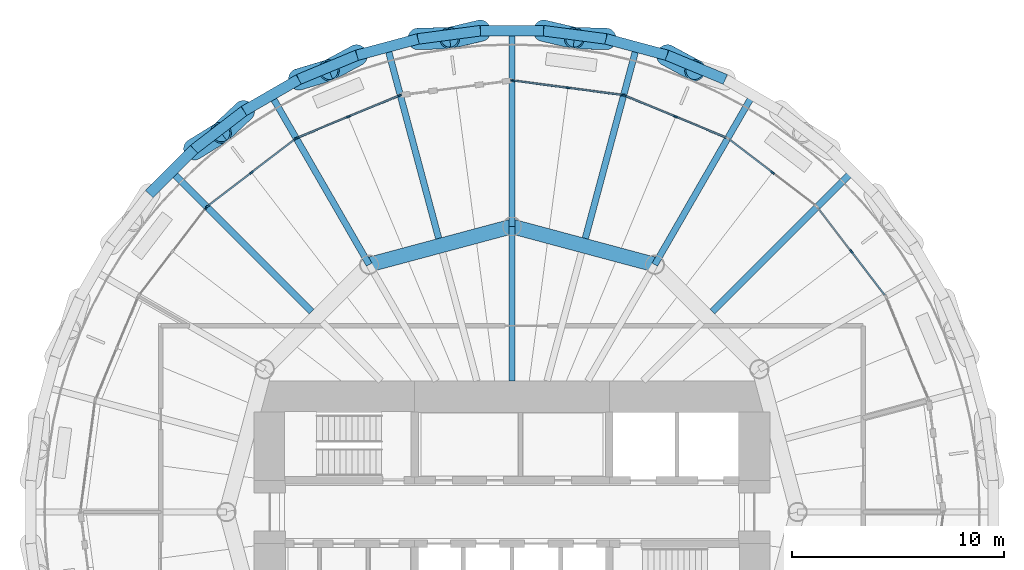
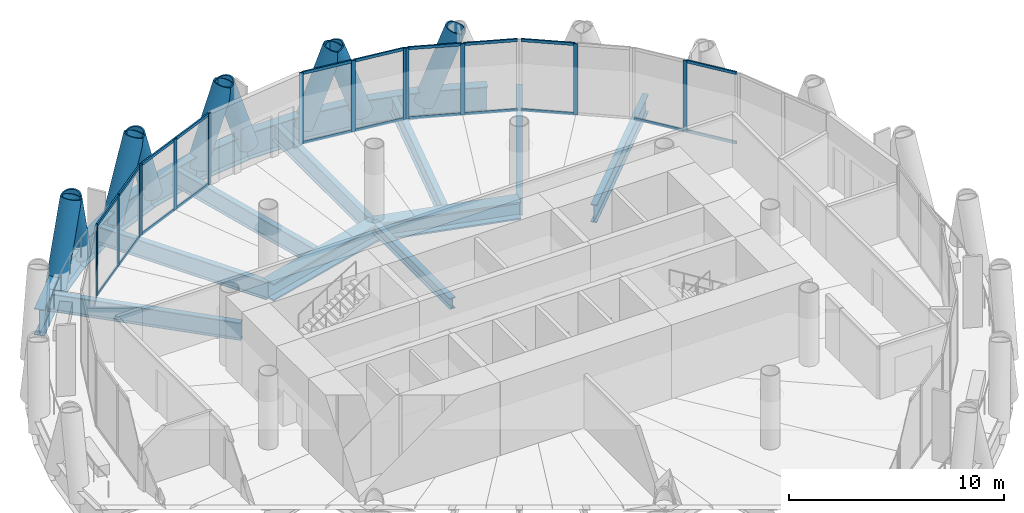
# One storey, part 6 of 14: 44 members, 20 beams, 7 elements without a shape of their own.
"""IFC4 building model written with IfcOpenShell, lengths in metres."""

from ifc_helpers import new_model, si_unit, direction, frame, origin, origin_2d, place, context, subcontext, project, spatial, rectangle, hollow_circle, i_section, extrude, material, material_profile, profile_set, type_object, element, aggregate, save


model = new_model("IFC4")

# Units and contexts
model_context = context("Model", 3, precision=1e-05, world=origin(), true_north=direction((0.0, 1.0)))
body_context = subcontext(model_context, "Body", "Model", "MODEL_VIEW")
ifc_project = project(units=[si_unit("LENGTHUNIT", "METRE"), si_unit("AREAUNIT", "SQUARE_METRE"), si_unit("VOLUMEUNIT", "CUBIC_METRE"), si_unit("PLANEANGLEUNIT", "RADIAN"), si_unit("MASSUNIT", "GRAM", prefix="KILO")], contexts=[model_context])

# Site, building, storey
site_placement = place(None, origin())
site = spatial("IfcSite", under=ifc_project, at=site_placement, CompositionType="ELEMENT")
building_placement = place(site_placement, origin())
building = spatial("IfcBuilding", under=site, at=building_placement, Name="Qaws Media Tower", CompositionType="ELEMENT")
storey_placement = place(building_placement, frame((0.0, 0.0, 215.0)))
storey = spatial("IfcBuildingStorey", under=building, at=storey_placement, Name="L49", CompositionType="ELEMENT", Elevation=215.0)

# Curtain wall, member
ifc_material_1 = material(Name="Aluminium and clear glass", Category="aluminium")
curtain_wall_type = type_object("IfcCurtainWallType", Name="Unitised curtain wall CW-C", PredefinedType="NOTDEFINED", material=ifc_material_1)
curtain_wall_1_placement = place(storey_placement, origin())
curtain_wall_1 = element("IfcCurtainWall", 1, at=curtain_wall_1_placement, inside=storey, type_object=curtain_wall_type, Name="CWC curtain wall L49-03", PredefinedType="NOTDEFINED")
ifc_material_2 = material(Name="Aluminium mullion", Category="aluminium")
ifc_material_profile_1 = material_profile(ifc_material_2, rectangle(XDim=0.080078125, YDim=0.199951171875, at=origin_2d()), Name="80x200")
ifc_profile_set_1 = profile_set([ifc_material_profile_1], Name="Aluminium mullion")
member_type_1 = type_object("IfcMemberType", Name="Curtain wall mullion 80x200", PredefinedType="MULLION", material=ifc_profile_set_1)
member_1_placement = place(storey_placement, frame((76.0458984375, 62.3125, 0.0), z_axis=(0.0, 0.0, 1.0), x_axis=(-0.793353307917, -0.608761471199, 0.0)))
member_1 = element("IfcMember", 2, at=member_1_placement, type_object=member_type_1, Name="CWC mullion 2", PredefinedType="MULLION", context=body_context, shape_type="SweptSolid", body=[
    extrude(rectangle(XDim=0.080078125, YDim=0.199951171875, at=origin_2d()), origin(), (0.0, 0.0, 1.0), 4.0400390625),
])

curtain_wall_2_placement = place(storey_placement, origin())
curtain_wall_2 = element("IfcCurtainWall", 3, at=curtain_wall_2_placement, inside=storey, type_object=curtain_wall_type, Name="CWC curtain wall L49-04", PredefinedType="NOTDEFINED")
member_2_placement = place(storey_placement, frame((72.3125, 66.0458984375, 0.0), z_axis=(0.0, 0.0, 1.0), x_axis=(-0.608761471199, -0.793353307917, 0.0)))
member_2 = element("IfcMember", 4, at=member_2_placement, type_object=member_type_1, Name="CWC mullion 2", PredefinedType="MULLION", context=body_context, shape_type="SweptSolid", body=[
    extrude(rectangle(XDim=0.080078125, YDim=0.199951171875, at=origin_2d()), origin(), (0.0, 0.0, 1.0), 4.0400390625),
])

# Curtain wall, members
curtain_wall_3_placement = place(storey_placement, origin())
curtain_wall_3 = element("IfcCurtainWall", 5, at=curtain_wall_3_placement, inside=storey, type_object=curtain_wall_type, Name="CWC curtain wall L49-05", PredefinedType="NOTDEFINED")
member_3_placement = place(storey_placement, frame((67.739990234375, 68.685791015625, 0.0), z_axis=(0.0, 0.0, 1.0), x_axis=(-0.382683525276, -0.923879494026, 0.0)))
member_3 = element("IfcMember", 6, at=member_3_placement, type_object=member_type_1, Name="CWC mullion 2", PredefinedType="MULLION", context=body_context, shape_type="SweptSolid", body=[
    extrude(rectangle(XDim=0.080078125, YDim=0.199951171875, at=origin_2d()), origin(), (0.0, 0.0, 1.0), 4.0400390625),
])
member_4_placement = place(storey_placement, frame((65.31689453125, 69.689697265625, 0.0), z_axis=(0.0, 0.0, 1.0), x_axis=(-0.382683525276, -0.923879494026, 0.0)))
member_4 = element("IfcMember", 7, at=member_4_placement, type_object=member_type_1, Name="CWC mullion 3", PredefinedType="MULLION", context=body_context, shape_type="SweptSolid", body=[
    extrude(rectangle(XDim=0.080078125, YDim=0.199951171875, at=origin_2d()), origin(), (0.0, 0.0, 1.0), 4.0400390625),
])

curtain_wall_4_placement = place(storey_placement, origin())
curtain_wall_4 = element("IfcCurtainWall", 8, at=curtain_wall_4_placement, inside=storey, type_object=curtain_wall_type, Name="CWC curtain wall L49-06", PredefinedType="NOTDEFINED")
member_5_placement = place(storey_placement, frame((65.240234375, 69.710205078125, 0.0), z_axis=(0.0, 0.0, 1.0), x_axis=(-0.13052615403, -0.991444866402, 0.0)))
member_5 = element("IfcMember", 9, at=member_5_placement, type_object=member_type_1, Name="CWC mullion 1", PredefinedType="MULLION", context=body_context, shape_type="SweptSolid", body=[
    extrude(rectangle(XDim=0.080078125, YDim=0.199951171875, at=origin_2d()), origin(), (0.0, 0.0, 1.0), 4.0400390625),
])
member_6_placement = place(storey_placement, frame((62.639892578125, 70.052490234375, 0.0), z_axis=(0.0, 0.0, 1.0), x_axis=(-0.13052615403, -0.991444866402, 0.0)))
member_6 = element("IfcMember", 10, at=member_6_placement, type_object=member_type_1, Name="CWC mullion 2", PredefinedType="MULLION", context=body_context, shape_type="SweptSolid", body=[
    extrude(rectangle(XDim=0.080078125, YDim=0.199951171875, at=origin_2d()), origin(), (0.0, 0.0, 1.0), 4.0400390625),
])
member_7_placement = place(storey_placement, frame((60.03955078125, 70.394775390625, 0.0), z_axis=(0.0, 0.0, 1.0), x_axis=(-0.13052615403, -0.991444866402, 0.0)))
member_7 = element("IfcMember", 11, at=member_7_placement, type_object=member_type_1, Name="CWC mullion 3", PredefinedType="MULLION", context=body_context, shape_type="SweptSolid", body=[
    extrude(rectangle(XDim=0.080078125, YDim=0.199951171875, at=origin_2d()), origin(), (0.0, 0.0, 1.0), 4.0400390625),
])

curtain_wall_5_placement = place(storey_placement, origin())
curtain_wall_5 = element("IfcCurtainWall", 12, at=curtain_wall_5_placement, inside=storey, type_object=curtain_wall_type, Name="CWC curtain wall L49-08", PredefinedType="NOTDEFINED")
member_8_placement = place(storey_placement, frame((54.68310546875, 69.689697265625, 0.0), z_axis=(0.0, 0.0, 1.0), x_axis=(0.382683525276, -0.923879494026, 0.0)))
member_8 = element("IfcMember", 13, at=member_8_placement, type_object=member_type_1, Name="CWC mullion 1", PredefinedType="MULLION", context=body_context, shape_type="SweptSolid", body=[
    extrude(rectangle(XDim=0.080078125, YDim=0.199951171875, at=origin_2d()), origin(), (0.0, 0.0, 1.0), 4.0400390625),
])
member_9_placement = place(storey_placement, frame((52.260009765625, 68.685791015625, 0.0), z_axis=(0.0, 0.0, 1.0), x_axis=(0.382683525276, -0.923879494026, 0.0)))
member_9 = element("IfcMember", 14, at=member_9_placement, type_object=member_type_1, Name="CWC mullion 2", PredefinedType="MULLION", context=body_context, shape_type="SweptSolid", body=[
    extrude(rectangle(XDim=0.080078125, YDim=0.199951171875, at=origin_2d()), origin(), (0.0, 0.0, 1.0), 4.0400390625),
])
member_10_placement = place(storey_placement, frame((49.8369140625, 67.68212890625, 0.0), z_axis=(0.0, 0.0, 1.0), x_axis=(0.382683525276, -0.923879494026, 0.0)))
member_10 = element("IfcMember", 15, at=member_10_placement, type_object=member_type_1, Name="CWC mullion 3", PredefinedType="MULLION", context=body_context, shape_type="SweptSolid", body=[
    extrude(rectangle(XDim=0.080078125, YDim=0.199951171875, at=origin_2d()), origin(), (0.0, 0.0, 1.0), 4.0400390625),
])

curtain_wall_6_placement = place(storey_placement, origin())
curtain_wall_6 = element("IfcCurtainWall", 16, at=curtain_wall_6_placement, inside=storey, type_object=curtain_wall_type, Name="CWC curtain wall L49-09", PredefinedType="NOTDEFINED")
member_11_placement = place(storey_placement, frame((49.768310546875, 67.642578125, 0.0), z_axis=(0.0, 0.0, 1.0), x_axis=(0.608761471199, -0.793353307917, 0.0)))
member_11 = element("IfcMember", 17, at=member_11_placement, type_object=member_type_1, Name="CWC mullion 1", PredefinedType="MULLION", context=body_context, shape_type="SweptSolid", body=[
    extrude(rectangle(XDim=0.080078125, YDim=0.199951171875, at=origin_2d()), origin(), (0.0, 0.0, 1.0), 4.0400390625),
])
member_12_placement = place(storey_placement, frame((47.6875, 66.0458984375, 0.0), z_axis=(0.0, 0.0, 1.0), x_axis=(0.608761471199, -0.793353307917, 0.0)))
member_12 = element("IfcMember", 18, at=member_12_placement, type_object=member_type_1, Name="CWC mullion 2", PredefinedType="MULLION", context=body_context, shape_type="SweptSolid", body=[
    extrude(rectangle(XDim=0.080078125, YDim=0.199951171875, at=origin_2d()), origin(), (0.0, 0.0, 1.0), 4.0400390625),
])
member_13_placement = place(storey_placement, frame((45.606689453125, 64.44921875, 0.0), z_axis=(0.0, 0.0, 1.0), x_axis=(0.608761471199, -0.793353307917, 0.0)))
member_13 = element("IfcMember", 19, at=member_13_placement, type_object=member_type_1, Name="CWC mullion 3", PredefinedType="MULLION", context=body_context, shape_type="SweptSolid", body=[
    extrude(rectangle(XDim=0.080078125, YDim=0.199951171875, at=origin_2d()), origin(), (0.0, 0.0, 1.0), 4.0400390625),
])

# Curtain wall, member
curtain_wall_7_placement = place(storey_placement, origin())
curtain_wall_7 = element("IfcCurtainWall", 20, at=curtain_wall_7_placement, inside=storey, type_object=curtain_wall_type, Name="CWC curtain wall L49-10", PredefinedType="NOTDEFINED")
member_14_placement = place(storey_placement, frame((45.55078125, 64.393310546875, 0.0), z_axis=(0.0, 0.0, 1.0), x_axis=(0.793353307917, -0.608761471199, 0.0)))
member_14 = element("IfcMember", 21, at=member_14_placement, type_object=member_type_1, Name="CWC mullion 1", PredefinedType="MULLION", context=body_context, shape_type="SweptSolid", body=[
    extrude(rectangle(XDim=0.080078125, YDim=0.199951171875, at=origin_2d()), origin(), (0.0, 0.0, 1.0), 4.0400390625),
])
aggregate(curtain_wall_7, [member_14])

# Member
ifc_material_3 = material(Name="Aluminium transom", Category="aluminium")
ifc_material_profile_2 = material_profile(ifc_material_3, rectangle(XDim=0.080078125, YDim=0.159912109375, at=origin_2d()), Name="80x160")
ifc_profile_set_2 = profile_set([ifc_material_profile_2], Name="Aluminium transom")
member_type_2 = type_object("IfcMemberType", Name="Curtain wall transom 80x160", PredefinedType="USERDEFINED", material=ifc_profile_set_2)
member_15_placement = place(storey_placement, frame((77.6181640625, 60.263427734375, 0.0400390625), z_axis=(-0.608735871547, 0.793372950567, 0.0), x_axis=(-0.793372950567, -0.608735871547, 0.0)))
member_15 = element("IfcMember", 22, at=member_15_placement, type_object=member_type_2, Name="CWC transom 1.1", ObjectType="TRANSOM", PredefinedType="USERDEFINED", context=body_context, shape_type="SweptSolid", body=[
    extrude(rectangle(XDim=0.080078125, YDim=0.159912109375, at=origin_2d()), origin(), (0.0, 0.0, 1.0), 2.542724609375),
])

member_16_placement = place(storey_placement, frame((77.6181640625, 60.263427734375, 4.0), z_axis=(-0.608735871547, 0.793372950567, 0.0), x_axis=(-0.793372950567, -0.608735871547, 0.0)))
member_16 = element("IfcMember", 23, at=member_16_placement, type_object=member_type_2, Name="CWC transom 1.2", ObjectType="TRANSOM", PredefinedType="USERDEFINED", context=body_context, shape_type="SweptSolid", body=[
    extrude(rectangle(XDim=0.080078125, YDim=0.159912109375, at=origin_2d()), origin(), (0.0, 0.0, 1.0), 2.542724609375),
])

member_17_placement = place(storey_placement, frame((76.021484375, 62.34423828125, 0.0400390625), z_axis=(-0.608735871547, 0.793372950567, 0.0), x_axis=(-0.793372950567, -0.608735871547, 0.0)))
member_17 = element("IfcMember", 24, at=member_17_placement, type_object=member_type_2, Name="CWC transom 2.1", ObjectType="TRANSOM", PredefinedType="USERDEFINED", context=body_context, shape_type="SweptSolid", body=[
    extrude(rectangle(XDim=0.080078125, YDim=0.159912109375, at=origin_2d()), origin(), (0.0, 0.0, 1.0), 2.542724609375),
])

aggregate(curtain_wall_1, [member_1, member_15, member_16, member_17])

member_18_placement = place(storey_placement, frame((72.28076171875, 66.0703125, 0.0400390625), z_axis=(-0.793372950567, 0.608735871547, 0.0), x_axis=(-0.608735871547, -0.793372950567, 0.0)))
member_18 = element("IfcMember", 25, at=member_18_placement, type_object=member_type_2, Name="CWC transom 2.1", ObjectType="TRANSOM", PredefinedType="USERDEFINED", context=body_context, shape_type="SweptSolid", body=[
    extrude(rectangle(XDim=0.080078125, YDim=0.159912109375, at=origin_2d()), origin(), (0.0, 0.0, 1.0), 2.542724609375),
])

member_19_placement = place(storey_placement, frame((72.28076171875, 66.0703125, 4.0), z_axis=(-0.793372950567, 0.608735871547, 0.0), x_axis=(-0.608735871547, -0.793372950567, 0.0)))
member_19 = element("IfcMember", 26, at=member_19_placement, type_object=member_type_2, Name="CWC transom 2.2", ObjectType="TRANSOM", PredefinedType="USERDEFINED", context=body_context, shape_type="SweptSolid", body=[
    extrude(rectangle(XDim=0.080078125, YDim=0.159912109375, at=origin_2d()), origin(), (0.0, 0.0, 1.0), 2.542724609375),
])

aggregate(curtain_wall_2, [member_2, member_18, member_19])

member_20_placement = place(storey_placement, frame((70.1259765625, 67.697509765625, 0.0400390625), z_axis=(-0.923864693602, 0.382719254697, 0.0), x_axis=(-0.382719254697, -0.923864693602, 0.0)))
member_20 = element("IfcMember", 27, at=member_20_placement, type_object=member_type_2, Name="CWC transom 1.1", ObjectType="TRANSOM", PredefinedType="USERDEFINED", context=body_context, shape_type="SweptSolid", body=[
    extrude(rectangle(XDim=0.080078125, YDim=0.159912109375, at=origin_2d()), origin(), (0.0, 0.0, 1.0), 2.542724609375),
])

member_21_placement = place(storey_placement, frame((70.1259765625, 67.697509765625, 4.0), z_axis=(-0.923864693602, 0.382719254697, 0.0), x_axis=(-0.382719254697, -0.923864693602, 0.0)))
member_21 = element("IfcMember", 28, at=member_21_placement, type_object=member_type_2, Name="CWC transom 1.2", ObjectType="TRANSOM", PredefinedType="USERDEFINED", context=body_context, shape_type="SweptSolid", body=[
    extrude(rectangle(XDim=0.080078125, YDim=0.159912109375, at=origin_2d()), origin(), (0.0, 0.0, 1.0), 2.542724609375),
])

member_22_placement = place(storey_placement, frame((67.702880859375, 68.701171875, 0.0400390625), z_axis=(-0.923864693602, 0.382719254697, 0.0), x_axis=(-0.382719254697, -0.923864693602, 0.0)))
member_22 = element("IfcMember", 29, at=member_22_placement, type_object=member_type_2, Name="CWC transom 2.1", ObjectType="TRANSOM", PredefinedType="USERDEFINED", context=body_context, shape_type="SweptSolid", body=[
    extrude(rectangle(XDim=0.080078125, YDim=0.159912109375, at=origin_2d()), origin(), (0.0, 0.0, 1.0), 2.542724609375),
])

member_23_placement = place(storey_placement, frame((67.702880859375, 68.701171875, 4.0), z_axis=(-0.923864693602, 0.382719254697, 0.0), x_axis=(-0.382719254697, -0.923864693602, 0.0)))
member_23 = element("IfcMember", 30, at=member_23_placement, type_object=member_type_2, Name="CWC transom 2.2", ObjectType="TRANSOM", PredefinedType="USERDEFINED", context=body_context, shape_type="SweptSolid", body=[
    extrude(rectangle(XDim=0.080078125, YDim=0.159912109375, at=origin_2d()), origin(), (0.0, 0.0, 1.0), 2.542724609375),
])

aggregate(curtain_wall_3, [member_3, member_4, member_20, member_21, member_22, member_23])

member_24_placement = place(storey_placement, frame((65.20068359375, 69.71533203125, 0.0400390625), z_axis=(-0.991450373449, 0.130484317017, 0.0), x_axis=(-0.130484317017, -0.991450373449, 0.0)))
member_24 = element("IfcMember", 31, at=member_24_placement, type_object=member_type_2, Name="CWC transom 1.1", ObjectType="TRANSOM", PredefinedType="USERDEFINED", context=body_context, shape_type="SweptSolid", body=[
    extrude(rectangle(XDim=0.080078125, YDim=0.159912109375, at=origin_2d()), origin(), (0.0, 0.0, 1.0), 2.542724609375),
])

member_25_placement = place(storey_placement, frame((65.20068359375, 69.71533203125, 4.0), z_axis=(-0.991450373449, 0.130484317017, 0.0), x_axis=(-0.130484317017, -0.991450373449, 0.0)))
member_25 = element("IfcMember", 32, at=member_25_placement, type_object=member_type_2, Name="CWC transom 1.2", ObjectType="TRANSOM", PredefinedType="USERDEFINED", context=body_context, shape_type="SweptSolid", body=[
    extrude(rectangle(XDim=0.080078125, YDim=0.159912109375, at=origin_2d()), origin(), (0.0, 0.0, 1.0), 2.542724609375),
])

member_26_placement = place(storey_placement, frame((62.600341796875, 70.0576171875, 0.0400390625), z_axis=(-0.991437947781, 0.130578695427, 0.0), x_axis=(-0.130578695427, -0.991437947781, 0.0)))
member_26 = element("IfcMember", 33, at=member_26_placement, type_object=member_type_2, Name="CWC transom 2.1", ObjectType="TRANSOM", PredefinedType="USERDEFINED", context=body_context, shape_type="SweptSolid", body=[
    extrude(rectangle(XDim=0.080078125, YDim=0.159912109375, at=origin_2d()), origin(), (0.0, 0.0, 1.0), 2.542724609375),
])

member_27_placement = place(storey_placement, frame((62.600341796875, 70.0576171875, 4.0), z_axis=(-0.991437947781, 0.130578695427, 0.0), x_axis=(-0.130578695427, -0.991437947781, 0.0)))
member_27 = element("IfcMember", 34, at=member_27_placement, type_object=member_type_2, Name="CWC transom 2.2", ObjectType="TRANSOM", PredefinedType="USERDEFINED", context=body_context, shape_type="SweptSolid", body=[
    extrude(rectangle(XDim=0.080078125, YDim=0.159912109375, at=origin_2d()), origin(), (0.0, 0.0, 1.0), 2.542724609375),
])

aggregate(curtain_wall_4, [member_5, member_6, member_7, member_24, member_25, member_26, member_27])

member_28_placement = place(storey_placement, frame((54.646240234375, 69.67431640625, 0.0400390625), z_axis=(-0.923864693602, -0.382719254697, 0.0), x_axis=(0.382719254697, -0.923864693602, 0.0)))
member_28 = element("IfcMember", 35, at=member_28_placement, type_object=member_type_2, Name="CWC transom 1.1", ObjectType="TRANSOM", PredefinedType="USERDEFINED", context=body_context, shape_type="SweptSolid", body=[
    extrude(rectangle(XDim=0.080078125, YDim=0.159912109375, at=origin_2d()), origin(), (0.0, 0.0, 1.0), 2.542724609375),
])

member_29_placement = place(storey_placement, frame((54.646240234375, 69.67431640625, 4.0), z_axis=(-0.923864693602, -0.382719254697, 0.0), x_axis=(0.382719254697, -0.923864693602, 0.0)))
member_29 = element("IfcMember", 36, at=member_29_placement, type_object=member_type_2, Name="CWC transom 1.2", ObjectType="TRANSOM", PredefinedType="USERDEFINED", context=body_context, shape_type="SweptSolid", body=[
    extrude(rectangle(XDim=0.080078125, YDim=0.159912109375, at=origin_2d()), origin(), (0.0, 0.0, 1.0), 2.542724609375),
])

member_30_placement = place(storey_placement, frame((52.22314453125, 68.670654296875, 0.0400390625), z_axis=(-0.923864693602, -0.382719254697, 0.0), x_axis=(0.382719254697, -0.923864693602, 0.0)))
member_30 = element("IfcMember", 37, at=member_30_placement, type_object=member_type_2, Name="CWC transom 2.1", ObjectType="TRANSOM", PredefinedType="USERDEFINED", context=body_context, shape_type="SweptSolid", body=[
    extrude(rectangle(XDim=0.080078125, YDim=0.159912109375, at=origin_2d()), origin(), (0.0, 0.0, 1.0), 2.542724609375),
])

member_31_placement = place(storey_placement, frame((52.22314453125, 68.670654296875, 4.0), z_axis=(-0.923864693602, -0.382719254697, 0.0), x_axis=(0.382719254697, -0.923864693602, 0.0)))
member_31 = element("IfcMember", 38, at=member_31_placement, type_object=member_type_2, Name="CWC transom 2.2", ObjectType="TRANSOM", PredefinedType="USERDEFINED", context=body_context, shape_type="SweptSolid", body=[
    extrude(rectangle(XDim=0.080078125, YDim=0.159912109375, at=origin_2d()), origin(), (0.0, 0.0, 1.0), 2.542724609375),
])

aggregate(curtain_wall_5, [member_8, member_9, member_10, member_28, member_29, member_30, member_31])

member_32_placement = place(storey_placement, frame((49.736572265625, 67.6181640625, 0.0400390625), z_axis=(-0.793372950567, -0.608735871547, 0.0), x_axis=(0.608735871547, -0.793372950567, 0.0)))
member_32 = element("IfcMember", 39, at=member_32_placement, type_object=member_type_2, Name="CWC transom 1.1", ObjectType="TRANSOM", PredefinedType="USERDEFINED", context=body_context, shape_type="SweptSolid", body=[
    extrude(rectangle(XDim=0.080078125, YDim=0.159912109375, at=origin_2d()), origin(), (0.0, 0.0, 1.0), 2.542724609375),
])

member_33_placement = place(storey_placement, frame((49.736572265625, 67.6181640625, 4.0), z_axis=(-0.793372950567, -0.608735871547, 0.0), x_axis=(0.608735871547, -0.793372950567, 0.0)))
member_33 = element("IfcMember", 40, at=member_33_placement, type_object=member_type_2, Name="CWC transom 1.2", ObjectType="TRANSOM", PredefinedType="USERDEFINED", context=body_context, shape_type="SweptSolid", body=[
    extrude(rectangle(XDim=0.080078125, YDim=0.159912109375, at=origin_2d()), origin(), (0.0, 0.0, 1.0), 2.542724609375),
])

member_34_placement = place(storey_placement, frame((47.65576171875, 66.021484375, 0.0400390625), z_axis=(-0.793372950567, -0.608735871547, 0.0), x_axis=(0.608735871547, -0.793372950567, 0.0)))
member_34 = element("IfcMember", 41, at=member_34_placement, type_object=member_type_2, Name="CWC transom 2.1", ObjectType="TRANSOM", PredefinedType="USERDEFINED", context=body_context, shape_type="SweptSolid", body=[
    extrude(rectangle(XDim=0.080078125, YDim=0.159912109375, at=origin_2d()), origin(), (0.0, 0.0, 1.0), 2.542724609375),
])

member_35_placement = place(storey_placement, frame((47.65576171875, 66.021484375, 4.0), z_axis=(-0.793372950567, -0.608735871547, 0.0), x_axis=(0.608735871547, -0.793372950567, 0.0)))
member_35 = element("IfcMember", 42, at=member_35_placement, type_object=member_type_2, Name="CWC transom 2.2", ObjectType="TRANSOM", PredefinedType="USERDEFINED", context=body_context, shape_type="SweptSolid", body=[
    extrude(rectangle(XDim=0.080078125, YDim=0.159912109375, at=origin_2d()), origin(), (0.0, 0.0, 1.0), 2.542724609375),
])

aggregate(curtain_wall_6, [member_11, member_12, member_13, member_32, member_33, member_34, member_35])

# Members
ifc_material_4 = material(Name="Steel S460", Category="steel")
ifc_material_profile_3 = material_profile(ifc_material_4, hollow_circle(Radius=0.508056640625, WallThickness=0.070068359375, at=origin_2d()), Name="CHS 1016x70")
ifc_profile_set_3 = profile_set([ifc_material_profile_3], Name="Steel S460")
member_type_3 = type_object("IfcMemberType", Name="Diagrid member CHS 1016x70", PredefinedType="USERDEFINED", material=ifc_profile_set_3)
member_36_placement = place(storey_placement, frame((64.447998046875, 72.36181640625, -0.909912109375), z_axis=(-0.335934332226, 0.010073650119, 0.941831538018), x_axis=(-0.02997348887, -0.999550694045, 0.0)))
element("IfcMember", 43, at=member_36_placement, inside=storey, type_object=member_type_3, Name="DG3 diagrid L49 A06", ObjectType="DIAGRID", PredefinedType="USERDEFINED", context=body_context, shape_type="SweptSolid", body=[
    extrude(hollow_circle(Radius=0.508056640625, WallThickness=0.070068359375, at=origin_2d()), origin(), (0.0, 0.0, 1.0), 4.459228515625),
])
for number, where, z_axis, x_axis, name in (
    (44, (67.328857421875, 71.590087890625, -0.909912109375), (0.295964412888, -0.159314917038, 0.941819421924), (0.473983261945, 0.880533853634, 0.0), "DG3 diagrid L49 B06"),
    (45, (58.5087890625, 72.751220703125, -0.909912109375), (-0.327116361591, -0.077248734093, 0.941821383841), (0.229829111483, -0.973231000079, 0.0), "DG3 diagrid L49 A07"),
    (46, (61.4912109375, 72.751220703125, -0.909912109375), (0.327116361591, -0.077248734093, 0.941821383841), (0.229829111483, 0.973231000079, 0.0), "DG3 diagrid L49 B07"),
    (47, (52.671142578125, 71.590087890625, -0.909912109375), (-0.295964412888, -0.159314917038, 0.941819421924), (0.473983261945, -0.880533853634, 0.0), "DG3 diagrid L49 A08"),
):
    element("IfcMember", number, at=place(storey_placement, frame(where, z_axis=z_axis, x_axis=x_axis)), inside=storey, type_object=member_type_3, Name=name, ObjectType="DIAGRID", PredefinedType="USERDEFINED", context=body_context, shape_type="SweptSolid", body=[
        extrude(hollow_circle(Radius=0.508056640625, WallThickness=0.070068359375, at=origin_2d()), origin(), (0.0, 0.0, 1.0), 4.45947265625),
    ])
member_37_placement = place(storey_placement, frame((55.552001953125, 72.36181640625, -0.909912109375), z_axis=(0.335934332226, 0.010073650119, 0.941831538018), x_axis=(-0.02997348887, 0.999550694045, 0.0)))
element("IfcMember", 48, at=member_37_placement, inside=storey, type_object=member_type_3, Name="DG3 diagrid L49 B08", ObjectType="DIAGRID", PredefinedType="USERDEFINED", context=body_context, shape_type="SweptSolid", body=[
    extrude(hollow_circle(Radius=0.508056640625, WallThickness=0.070068359375, at=origin_2d()), origin(), (0.0, 0.0, 1.0), 4.459228515625),
])
for number, where, z_axis, x_axis, name in (
    (49, (47.3330078125, 68.95751953125, -0.909912109375), (-0.244664958727, -0.230485450042, 0.941815011183), (0.685699937785, -0.727884328257, 0.0), "DG3 diagrid L49 A09"),
    (50, (49.915771484375, 70.44873046875, -0.909912109375), (0.321916275076, 0.096629630188, 0.941824095259), (-0.287497320601, 0.957781442004, 0.0), "DG3 diagrid L49 B09"),
    (51, (44.966796875, 67.141845703125, -0.909912109375), (0.285945501769, 0.176669755736, 0.941818967438), (-0.525614245055, 0.850723025077, 0.0), "DG3 diagrid L49 B10"),
):
    element("IfcMember", number, at=place(storey_placement, frame(where, z_axis=z_axis, x_axis=x_axis)), inside=storey, type_object=member_type_3, Name=name, ObjectType="DIAGRID", PredefinedType="USERDEFINED", context=body_context, shape_type="SweptSolid", body=[
        extrude(hollow_circle(Radius=0.508056640625, WallThickness=0.070068359375, at=origin_2d()), origin(), (0.0, 0.0, 1.0), 4.45947265625),
    ])

# Beams
ifc_material_5 = material(Name="Steel S460", Category="steel")
ifc_material_profile_4 = material_profile(ifc_material_5, i_section(OverallWidth=0.5, OverallDepth=1.5, WebThickness=0.02001953125, FlangeThickness=0.0400390625, at=origin_2d()), Name="PG 1500x500")
ifc_profile_set_4 = profile_set([ifc_material_profile_4], Name="Steel S460")
beam_type_1 = type_object("IfcBeamType", Name="Edge ring beam PG 1500x500", PredefinedType="BEAM", material=ifc_profile_set_4)
for number, where, z_axis, x_axis, name in (
    (52, (70.084228515625, 70.44873046875, -0.909912109375), (-0.923874156886, 0.382696410016, 0.0), (-0.382696410016, -0.923874156886, 0.0), "RB4 edge ring beam L49-09"),
    (53, (67.328857421875, 71.590087890625, -0.909912109375), (-0.965942205889, 0.258757907866, 0.0), (-0.258757907866, -0.965942205889, 0.0), "RB4 edge ring beam L49-10"),
    (54, (64.447998046875, 72.36181640625, -0.909912109375), (-0.991438963829, 0.130570980704, 0.0), (-0.130570980704, -0.991438963829, 0.0), "RB4 edge ring beam L49-11"),
    (55, (61.4912109375, 72.751220703125, -0.909912109375), (-1.0, 0.0, 0.0), (0.0, -1.0, 0.0), "RB4 edge ring beam L49-12"),
    (56, (58.5087890625, 72.751220703125, -0.909912109375), (-0.991438963829, -0.130570980704, 0.0), (0.130570980704, -0.991438963829, 0.0), "RB4 edge ring beam L49-13"),
    (57, (55.552001953125, 72.36181640625, -0.909912109375), (-0.965942205889, -0.258757907866, 0.0), (0.258757907866, -0.965942205889, 0.0), "RB4 edge ring beam L49-14"),
    (58, (52.671142578125, 71.590087890625, -0.909912109375), (-0.923874156886, -0.382696410016, 0.0), (0.382696410016, -0.923874156886, 0.0), "RB4 edge ring beam L49-15"),
    (59, (49.915771484375, 70.44873046875, -0.909912109375), (-0.866017906508, -0.500012985438, 0.0), (0.500012985438, -0.866017906508, 0.0), "RB4 edge ring beam L49-16"),
):
    element("IfcBeam", number, at=place(storey_placement, frame(where, z_axis=z_axis, x_axis=x_axis)), inside=storey, type_object=beam_type_1, Name=name, PredefinedType="BEAM", context=body_context, shape_type="SweptSolid", body=[
        extrude(i_section(OverallWidth=0.5, OverallDepth=1.5, WebThickness=0.02001953125, FlangeThickness=0.0400390625, at=origin_2d()), origin(), (0.0, 0.0, 1.0), 2.982421875),
    ])
beam_1_placement = place(storey_placement, frame((47.3330078125, 68.95751953125, -0.909912109375), z_axis=(-0.793350698159, -0.608764872287, 0.0), x_axis=(0.608764872287, -0.793350698159, 0.0)))
element("IfcBeam", 60, at=beam_1_placement, inside=storey, type_object=beam_type_1, Name="RB4 edge ring beam L49-17", PredefinedType="BEAM", context=body_context, shape_type="SweptSolid", body=[
    extrude(i_section(OverallWidth=0.5, OverallDepth=1.5, WebThickness=0.02001953125, FlangeThickness=0.0400390625, at=origin_2d()), origin(), (0.0, 0.0, 1.0), 2.982666015625),
])
beam_2_placement = place(storey_placement, frame((44.966796875, 67.141845703125, -0.909912109375), z_axis=(-0.707106781187, -0.707106781187, 0.0), x_axis=(0.707106781187, -0.707106781187, 0.0)))
element("IfcBeam", 61, at=beam_2_placement, inside=storey, type_object=beam_type_1, Name="RB4 edge ring beam L49-18", PredefinedType="BEAM", context=body_context, shape_type="SweptSolid", body=[
    extrude(i_section(OverallWidth=0.5, OverallDepth=1.5, WebThickness=0.02001953125, FlangeThickness=0.0400390625, at=origin_2d()), origin(), (0.0, 0.0, 1.0), 2.982177734375),
])
ifc_material_6 = material(Name="Steel S460", Category="steel")
ifc_material_profile_5 = material_profile(ifc_material_6, i_section(OverallWidth=0.699951171875, OverallDepth=1.0, WebThickness=0.034912109375, FlangeThickness=0.090087890625, at=origin_2d()), Name="PG 1000x700")
ifc_profile_set_5 = profile_set([ifc_material_profile_5], Name="Steel S460")
beam_type_2 = type_object("IfcBeamType", Name="Inner ring girder PG 1000x700", PredefinedType="BEAM", material=ifc_profile_set_5)
for number, where, z_axis, x_axis, name in (
    (62, (66.75, 61.69140625, -0.659912109375), (-0.965928090778, 0.258810593767, 0.0), (-0.258810593767, -0.965928090778, 0.0), "B3 inner ring beam L49 I03-I04"),
    (63, (60.0, 63.5, -0.659912109375), (-0.965928090778, -0.258810593767, 0.0), (0.258810593767, -0.965928090778, 0.0), "B3 inner ring beam L49 I04-I05"),
):
    element("IfcBeam", number, at=place(storey_placement, frame(where, z_axis=z_axis, x_axis=x_axis)), inside=storey, type_object=beam_type_2, Name=name, PredefinedType="BEAM", context=body_context, shape_type="SweptSolid", body=[
        extrude(i_section(OverallWidth=0.699951171875, OverallDepth=1.0, WebThickness=0.034912109375, FlangeThickness=0.090087890625, at=origin_2d()), origin(), (0.0, 0.0, 1.0), 6.988037109375),
    ])
ifc_material_7 = material(Name="Steel S355", Category="steel")
ifc_material_profile_6 = material_profile(ifc_material_7, i_section(OverallWidth=0.302001953125, OverallDepth=1.008056640625, WebThickness=0.02099609375, FlangeThickness=0.0400390625, FilletRadius=0.030029296875, at=origin_2d()), Name="HE 1000 M")
ifc_profile_set_6 = profile_set([ifc_material_profile_6], Name="Steel S355")
beam_type_3 = type_object("IfcBeamType", Name="Radial beam HE 1000 M", PredefinedType="BEAM", material=ifc_profile_set_6)
beam_3_placement = place(storey_placement, frame((69.46826171875, 59.46826171875, -0.6640625), z_axis=(0.707106781187, 0.707106781187, 0.0), x_axis=(-0.707106781187, 0.707106781187, 0.0)))
element("IfcBeam", 64, at=beam_3_placement, inside=storey, type_object=beam_type_3, Name="B1 radial beam L49 04", PredefinedType="BEAM", context=body_context, shape_type="SweptSolid", body=[
    extrude(i_section(OverallWidth=0.302001953125, OverallDepth=1.008056640625, WebThickness=0.02099609375, FlangeThickness=0.0400390625, FilletRadius=0.030029296875, at=origin_2d()), origin(), (0.0, 0.0, 1.0), 9.36083984375),
])
beam_4_placement = place(storey_placement, frame((66.75, 61.69140625, -0.6640625), z_axis=(0.499993538935, 0.86602913405, 0.0), x_axis=(-0.86602913405, 0.499993538935, 0.0)))
element("IfcBeam", 65, at=beam_4_placement, inside=storey, type_object=beam_type_3, Name="B1 radial beam L49 05", PredefinedType="BEAM", context=body_context, shape_type="SweptSolid", body=[
    extrude(i_section(OverallWidth=0.302001953125, OverallDepth=1.008056640625, WebThickness=0.02099609375, FlangeThickness=0.0400390625, FilletRadius=0.030029296875, at=origin_2d()), origin(), (0.0, 0.0, 1.0), 9.2509765625),
])
beam_5_placement = place(storey_placement, frame((63.465576171875, 62.933837890625, -0.6640625), z_axis=(0.258818211939, 0.965926049534, 0.0), x_axis=(-0.965926049534, 0.258818211939, 0.0)))
element("IfcBeam", 66, at=beam_5_placement, inside=storey, type_object=beam_type_3, Name="B1 radial beam L49 06", PredefinedType="BEAM", context=body_context, shape_type="SweptSolid", body=[
    extrude(i_section(OverallWidth=0.302001953125, OverallDepth=1.008056640625, WebThickness=0.02099609375, FlangeThickness=0.0400390625, FilletRadius=0.030029296875, at=origin_2d()), origin(), (0.0, 0.0, 1.0), 9.361328125),
])
beam_6_placement = place(storey_placement, frame((60.0, 63.5, -0.6640625), z_axis=(0.0, 1.0, 0.0), x_axis=(-1.0, 0.0, 0.0)))
element("IfcBeam", 67, at=beam_6_placement, inside=storey, type_object=beam_type_3, Name="B1 radial beam L49 07", PredefinedType="BEAM", context=body_context, shape_type="SweptSolid", body=[
    extrude(i_section(OverallWidth=0.302001953125, OverallDepth=1.008056640625, WebThickness=0.02099609375, FlangeThickness=0.0400390625, FilletRadius=0.030029296875, at=origin_2d()), origin(), (0.0, 0.0, 1.0), 9.251220703125),
])
beam_7_placement = place(storey_placement, frame((56.534423828125, 62.933837890625, -0.6640625), z_axis=(-0.258818211939, 0.965926049534, 0.0), x_axis=(-0.965926049534, -0.258818211939, 0.0)))
element("IfcBeam", 68, at=beam_7_placement, inside=storey, type_object=beam_type_3, Name="B1 radial beam L49 08", PredefinedType="BEAM", context=body_context, shape_type="SweptSolid", body=[
    extrude(i_section(OverallWidth=0.302001953125, OverallDepth=1.008056640625, WebThickness=0.02099609375, FlangeThickness=0.0400390625, FilletRadius=0.030029296875, at=origin_2d()), origin(), (0.0, 0.0, 1.0), 9.361328125),
])
beam_8_placement = place(storey_placement, frame((53.25, 61.69140625, -0.6640625), z_axis=(-0.499993538935, 0.86602913405, 0.0), x_axis=(-0.86602913405, -0.499993538935, 0.0)))
element("IfcBeam", 69, at=beam_8_placement, inside=storey, type_object=beam_type_3, Name="B1 radial beam L49 09", PredefinedType="BEAM", context=body_context, shape_type="SweptSolid", body=[
    extrude(i_section(OverallWidth=0.302001953125, OverallDepth=1.008056640625, WebThickness=0.02099609375, FlangeThickness=0.0400390625, FilletRadius=0.030029296875, at=origin_2d()), origin(), (0.0, 0.0, 1.0), 9.2509765625),
])
beam_9_placement = place(storey_placement, frame((50.53173828125, 59.46826171875, -0.6640625), z_axis=(-0.707106781187, 0.707106781187, 0.0), x_axis=(-0.707106781187, -0.707106781187, 0.0)))
element("IfcBeam", 70, at=beam_9_placement, inside=storey, type_object=beam_type_3, Name="B1 radial beam L49 10", PredefinedType="BEAM", context=body_context, shape_type="SweptSolid", body=[
    extrude(i_section(OverallWidth=0.302001953125, OverallDepth=1.008056640625, WebThickness=0.02099609375, FlangeThickness=0.0400390625, FilletRadius=0.030029296875, at=origin_2d()), origin(), (0.0, 0.0, 1.0), 9.36083984375),
])
ifc_material_8 = material(Name="Steel S355", Category="steel")
ifc_material_profile_7 = material_profile(ifc_material_8, i_section(OverallWidth=0.304931640625, OverallDepth=0.6201171875, WebThickness=0.02099609375, FlangeThickness=0.0400390625, FilletRadius=0.027099609375, at=origin_2d()), Name="HE 600 M")
ifc_profile_set_7 = profile_set([ifc_material_profile_7], Name="Steel S355")
beam_type_4 = type_object("IfcBeamType", Name="Radial beam HE 600 M, core side", PredefinedType="BEAM", material=ifc_profile_set_7)
beam_10_placement = place(storey_placement, frame((60.0, 56.199951171875, -0.469970703125), z_axis=(0.0, 1.0, 0.0), x_axis=(-1.0, 0.0, 0.0)))
element("IfcBeam", 71, at=beam_10_placement, inside=storey, type_object=beam_type_4, Name="B2 radial beam L49 07", PredefinedType="BEAM", context=body_context, shape_type="SweptSolid", body=[
    extrude(i_section(OverallWidth=0.304931640625, OverallDepth=0.6201171875, WebThickness=0.02099609375, FlangeThickness=0.0400390625, FilletRadius=0.027099609375, at=origin_2d()), origin(), (0.0, 0.0, 1.0), 7.300048828125),
])

save(model, "model.ifc")
